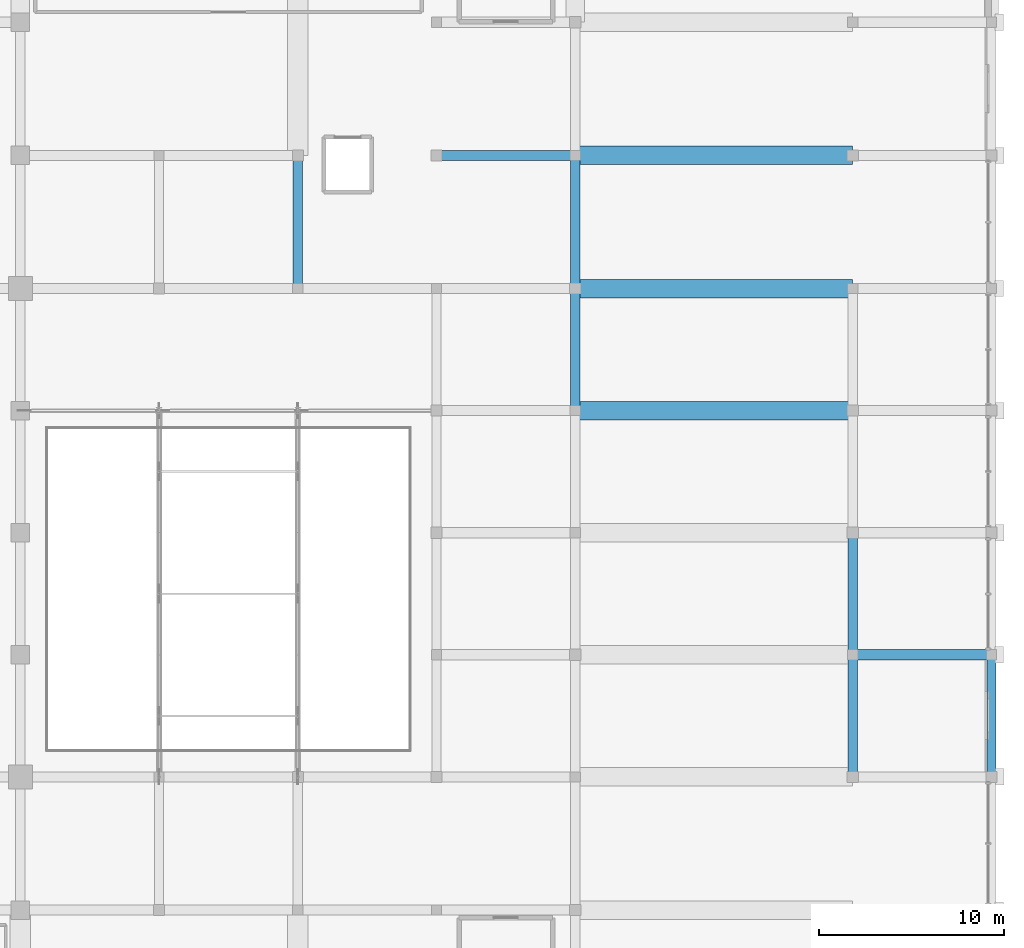
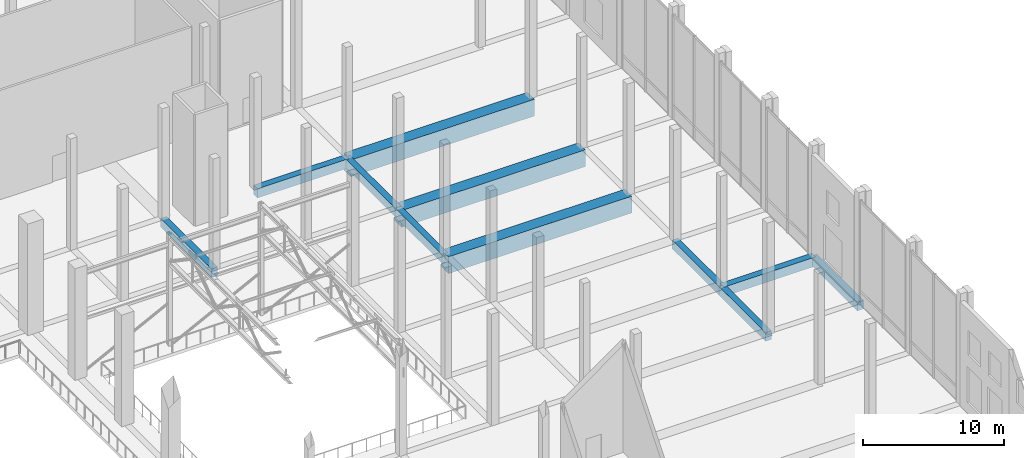
# One storey, part 48 of 80: 11 beams.
"""IFC4 building model written with IfcOpenShell, lengths in metres."""

from ifc_helpers import new_model, si_unit, direction, frame, origin, origin_2d, place, context, subcontext, project, spatial, rectangle, extrude, material, material_profile, profile_set, type_object, element, save


model = new_model("IFC4")

# Units and contexts
model_context = context("Model", 3, precision=1e-05, world=origin(), true_north=direction((0.0, 1.0)))
body_context = subcontext(model_context, "Body", "Model", "MODEL_VIEW")
ifc_project = project(units=[si_unit("LENGTHUNIT", "METRE"), si_unit("AREAUNIT", "SQUARE_METRE"), si_unit("VOLUMEUNIT", "CUBIC_METRE"), si_unit("PLANEANGLEUNIT", "RADIAN"), si_unit("MASSUNIT", "GRAM", prefix="KILO")], contexts=[model_context])

# Site, building, storey
site_placement = place(None, origin())
site = spatial("IfcSite", under=ifc_project, at=site_placement, CompositionType="ELEMENT")
building_placement = place(site_placement, origin())
building = spatial("IfcBuilding", under=site, at=building_placement, Name="Akrevak Sports Hall", CompositionType="ELEMENT")
storey_placement = place(building_placement, frame((0.0, 0.0, 14.0)))
storey = spatial("IfcBuildingStorey", under=building, at=storey_placement, Name="L03", CompositionType="ELEMENT", Elevation=14.0)

# Beams
ifc_material_1 = material(Name="Concrete C50/60", Category="concrete")
ifc_material_profile_1 = material_profile(ifc_material_1, rectangle(XDim=1.0, YDim=1.449951171875, at=origin_2d()), Name="BM 1000x1450", Category="concrete")
ifc_profile_set_1 = profile_set([ifc_material_profile_1], Name="Concrete C50/60")
beam_type_1 = type_object("IfcBeamType", Name="STR-BM-LG1000x1450", PredefinedType="BEAM", material=ifc_profile_set_1)
for number, where, z_axis, x_axis, name in (
    (1, (145.5, 48.60009765625, -0.72509765625), (1.0, 0.0, 0.0), (0.0, 1.0, 0.0), "Girder H/20-22 (L03)"),
    (2, (145.5, 55.199951171875, -0.72509765625), (1.0, 0.0, 0.0), (0.0, 1.0, 0.0), "Girder I/20-22 (L03)"),
    (3, (145.5, 62.39990234375, -0.72509765625), (1.0, 0.0, 0.0), (0.0, 1.0, 0.0), "Girder J/20-22 (L03)"),
):
    element("IfcBeam", number, at=place(storey_placement, frame(where, z_axis=z_axis, x_axis=x_axis)), inside=storey, type_object=beam_type_1, Name=name, PredefinedType="BEAM", context=body_context, shape_type="SweptSolid", body=[
        extrude(rectangle(XDim=1.0, YDim=1.449951171875, at=origin_2d()), origin(), (0.0, 0.0, 1.0), 15.0),
    ])
ifc_material_2 = material(Name="Concrete C40/50", Category="concrete")
ifc_material_profile_2 = material_profile(ifc_material_2, rectangle(XDim=0.5, YDim=0.75, at=origin_2d()), Name="BM 500x750", Category="concrete")
ifc_profile_set_2 = profile_set([ifc_material_profile_2], Name="Concrete C40/50")
beam_type_2 = type_object("IfcBeamType", Name="STR-BM-RC500x750", PredefinedType="BEAM", material=ifc_profile_set_2)
beam_1_placement = place(storey_placement, frame((130.5, 55.199951171875, -0.375), z_axis=(0.0, 1.0, 0.0), x_axis=(-1.0, 0.0, 0.0)))
element("IfcBeam", 4, at=beam_1_placement, inside=storey, type_object=beam_type_2, Name="Girder 18/I-J (L03)", PredefinedType="BEAM", context=body_context, shape_type="SweptSolid", body=[
    extrude(rectangle(XDim=0.5, YDim=0.75, at=origin_2d()), origin(), (0.0, 0.0, 1.0), 7.199951171875),
])
beam_2_placement = place(storey_placement, frame((145.5, 48.60009765625, -0.375), z_axis=(0.0, 1.0, 0.0), x_axis=(-1.0, 0.0, 0.0)))
element("IfcBeam", 5, at=beam_2_placement, inside=storey, type_object=beam_type_2, Name="Girder 20/H-I (L03)", PredefinedType="BEAM", context=body_context, shape_type="SweptSolid", body=[
    extrude(rectangle(XDim=0.5, YDim=0.75, at=origin_2d()), origin(), (0.0, 0.0, 1.0), 6.599853515625),
])
beam_3_placement = place(storey_placement, frame((145.5, 55.199951171875, -0.375), z_axis=(0.0, 1.0, 0.0), x_axis=(-1.0, 0.0, 0.0)))
element("IfcBeam", 6, at=beam_3_placement, inside=storey, type_object=beam_type_2, Name="Girder 20/I-J (L03)", PredefinedType="BEAM", context=body_context, shape_type="SweptSolid", body=[
    extrude(rectangle(XDim=0.5, YDim=0.75, at=origin_2d()), origin(), (0.0, 0.0, 1.0), 7.199951171875),
])
beam_4_placement = place(storey_placement, frame((160.5, 28.800048828125, -0.375), z_axis=(0.0, 1.0, 0.0), x_axis=(-1.0, 0.0, 0.0)))
element("IfcBeam", 7, at=beam_4_placement, inside=storey, type_object=beam_type_2, Name="Girder 22/E-F (L03)", PredefinedType="BEAM", context=body_context, shape_type="SweptSolid", body=[
    extrude(rectangle(XDim=0.5, YDim=0.75, at=origin_2d()), origin(), (0.0, 0.0, 1.0), 6.599853515625),
])
beam_5_placement = place(storey_placement, frame((160.5, 35.39990234375, -0.375), z_axis=(0.0, 1.0, 0.0), x_axis=(-1.0, 0.0, 0.0)))
element("IfcBeam", 8, at=beam_5_placement, inside=storey, type_object=beam_type_2, Name="Girder 22/F-G (L03)", PredefinedType="BEAM", context=body_context, shape_type="SweptSolid", body=[
    extrude(rectangle(XDim=0.5, YDim=0.75, at=origin_2d()), origin(), (0.0, 0.0, 1.0), 6.60009765625),
])
beam_6_placement = place(storey_placement, frame((168.0, 28.800048828125, -0.375), z_axis=(0.0, 1.0, 0.0), x_axis=(-1.0, 0.0, 0.0)))
element("IfcBeam", 9, at=beam_6_placement, inside=storey, type_object=beam_type_2, Name="Girder 23/E-F (L03)", PredefinedType="BEAM", context=body_context, shape_type="SweptSolid", body=[
    extrude(rectangle(XDim=0.5, YDim=0.75, at=origin_2d()), origin(), (0.0, 0.0, 1.0), 6.599853515625),
])
ifc_material_profile_3 = material_profile(ifc_material_2, rectangle(XDim=0.550048828125, YDim=0.800048828125, at=origin_2d()), Name="BM 550x800", Category="concrete")
ifc_profile_set_3 = profile_set([ifc_material_profile_3], Name="Concrete C40/50")
beam_type_3 = type_object("IfcBeamType", Name="STR-BM-RC550x800", PredefinedType="BEAM", material=ifc_profile_set_3)
for number, where, z_axis, x_axis, name in (
    (10, (160.5, 35.39990234375, -0.39990234375), (1.0, 0.0, 0.0), (0.0, 1.0, 0.0), "Girder F/22-23 (L03)"),
    (11, (138.0, 62.39990234375, -0.39990234375), (1.0, 0.0, 0.0), (0.0, 1.0, 0.0), "Girder J/19-20 (L03)"),
):
    element("IfcBeam", number, at=place(storey_placement, frame(where, z_axis=z_axis, x_axis=x_axis)), inside=storey, type_object=beam_type_3, Name=name, PredefinedType="BEAM", context=body_context, shape_type="SweptSolid", body=[
        extrude(rectangle(XDim=0.550048828125, YDim=0.800048828125, at=origin_2d()), origin(), (0.0, 0.0, 1.0), 7.5),
    ])

save(model, "model.ifc")
